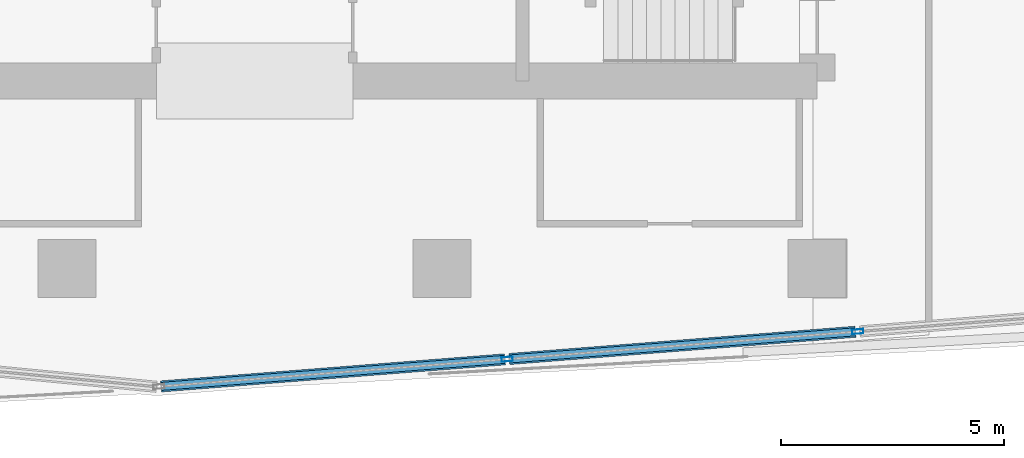
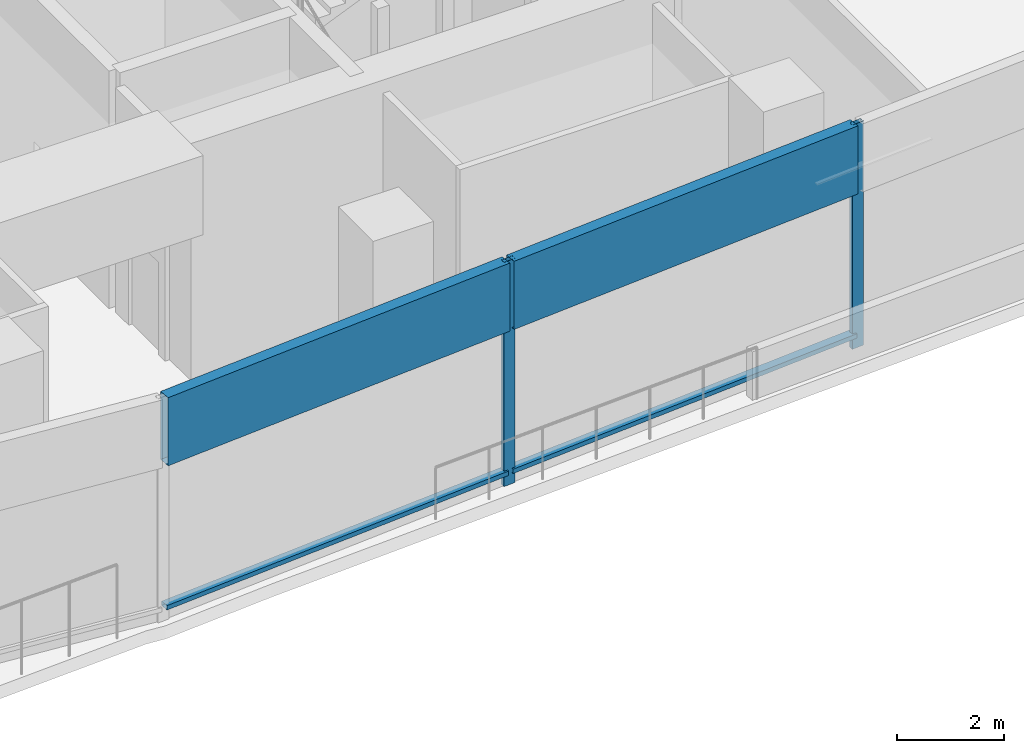
# One storey, part 5 of 22: 6 members, 1 element without a shape of its own.
"""IFC4 building model written with IfcOpenShell, lengths in metres."""

from ifc_helpers import new_model, si_unit, direction, frame, origin, origin_2d, place, context, subcontext, project, spatial, hollow_rectangle, extrude, material, material_profile, profile_set, type_object, element, aggregate, save


model = new_model("IFC4")

# Units and contexts
model_context = context("Model", 3, precision=1e-05, world=origin(), true_north=direction((0.0, 1.0)))
body_context = subcontext(model_context, "Body", "Model", "MODEL_VIEW")
ifc_project = project(units=[si_unit("LENGTHUNIT", "METRE"), si_unit("AREAUNIT", "SQUARE_METRE"), si_unit("VOLUMEUNIT", "CUBIC_METRE"), si_unit("PLANEANGLEUNIT", "RADIAN"), si_unit("MASSUNIT", "GRAM", prefix="KILO")], contexts=[model_context])

# Site, building, storey
site_placement = place(None, origin())
site = spatial("IfcSite", under=ifc_project, at=site_placement, CompositionType="ELEMENT")
building_placement = place(site_placement, origin())
building = spatial("IfcBuilding", under=site, at=building_placement, Name="Rekha Terrace Tower", CompositionType="ELEMENT")
storey_placement = place(building_placement, frame((0.0, 0.0, 291.35009765625)))
storey = spatial("IfcBuildingStorey", under=building, at=storey_placement, Name="L74", CompositionType="ELEMENT", Elevation=291.35009765625)

# Curtain wall, members
ifc_material_1 = material(Name="Aluminium framing", Category="aluminium")
curtain_wall_type = type_object("IfcCurtainWallType", Name="CW6 observation glazing", PredefinedType="USERDEFINED", material=ifc_material_1)
curtain_wall_placement = place(storey_placement, origin())
curtain_wall = element("IfcCurtainWall", 1, at=curtain_wall_placement, inside=storey, type_object=curtain_wall_type, Name="CW6 observation curtain wall", ObjectType="OBSERVATION CURTAIN WALL", PredefinedType="USERDEFINED")
ifc_material_2 = material(Name="Aluminium mullion section", Category="aluminium")
ifc_material_profile_1 = material_profile(ifc_material_2, hollow_rectangle(XDim=0.10009765625, YDim=0.25, WallThickness=0.00390625, at=origin_2d()), Name="AL RHS 100x250")
ifc_profile_set_1 = profile_set([ifc_material_profile_1], Name="Aluminium mullion section")
member_type_1 = type_object("IfcMemberType", Name="CW6 mullion RHS 100 x 250", PredefinedType="MULLION", material=ifc_profile_set_1)
member_1_placement = place(storey_placement, frame((43.45654296875, 14.7685546875, 0.0), z_axis=(0.0, 0.0, 1.0), x_axis=(-0.078448725836, 0.996918149807, 0.0)))
member_1 = element("IfcMember", 2, at=member_1_placement, type_object=member_type_1, Name="CW6 mullion 2", PredefinedType="MULLION", context=body_context, shape_type="SweptSolid", body=[
    extrude(hollow_rectangle(XDim=0.10009765625, YDim=0.25, WallThickness=0.00390625, at=origin_2d()), origin(), (0.0, 0.0, 1.0), 5.099853515625),
])
member_2_placement = place(storey_placement, frame((51.30615234375, 15.38623046875, 0.0), z_axis=(0.0, 0.0, 1.0), x_axis=(-0.078448725836, 0.996918149807, 0.0)))
member_2 = element("IfcMember", 3, at=member_2_placement, type_object=member_type_1, Name="CW6 mullion 3", PredefinedType="MULLION", context=body_context, shape_type="SweptSolid", body=[
    extrude(hollow_rectangle(XDim=0.10009765625, YDim=0.25, WallThickness=0.00390625, at=origin_2d()), origin(), (0.0, 0.0, 1.0), 5.099853515625),
])
ifc_material_3 = material(Name="Insulated aluminium spandrel box", Category="aluminium")
ifc_material_profile_2 = material_profile(ifc_material_3, hollow_rectangle(XDim=0.25, YDim=1.550048828125, WallThickness=0.0029296875, at=origin_2d()), Name="AL SPANDREL BOX 250x1550")
ifc_profile_set_2 = profile_set([ifc_material_profile_2], Name="Insulated aluminium spandrel box")
member_type_2 = type_object("IfcMemberType", Name="CW6 spandrel transom 250 x 1550", PredefinedType="USERDEFINED", material=ifc_profile_set_2)
member_3_placement = place(storey_placement, frame((35.70654296875, 14.15869140625, 4.324951171875), z_axis=(0.996917956308, 0.078451184767, 0.0), x_axis=(-0.078451184767, 0.996917956308, 0.0)))
member_3 = element("IfcMember", 4, at=member_3_placement, type_object=member_type_2, Name="CW6 spandrel transom 1", ObjectType="TRANSOM", PredefinedType="USERDEFINED", context=body_context, shape_type="SweptSolid", body=[
    extrude(hollow_rectangle(XDim=0.25, YDim=1.550048828125, WallThickness=0.0029296875, at=origin_2d()), origin(), (0.0, 0.0, 1.0), 7.72412109375),
])
member_4_placement = place(storey_placement, frame((43.50634765625, 14.7724609375, 4.324951171875), z_axis=(0.996918087758, 0.07844951434, 0.0), x_axis=(-0.07844951434, 0.996918087758, 0.0)))
member_4 = element("IfcMember", 5, at=member_4_placement, type_object=member_type_2, Name="CW6 spandrel transom 2", ObjectType="TRANSOM", PredefinedType="USERDEFINED", context=body_context, shape_type="SweptSolid", body=[
    extrude(hollow_rectangle(XDim=0.25, YDim=1.550048828125, WallThickness=0.0029296875, at=origin_2d()), origin(), (0.0, 0.0, 1.0), 7.77392578125),
])
ifc_material_4 = material(Name="Aluminium transom section", Category="aluminium")
ifc_material_profile_3 = material_profile(ifc_material_4, hollow_rectangle(XDim=0.179931640625, YDim=0.10009765625, WallThickness=0.0029296875, at=origin_2d()), Name="AL RHS 180x100")
ifc_profile_set_3 = profile_set([ifc_material_profile_3], Name="Aluminium transom section")
member_type_3 = type_object("IfcMemberType", Name="CW6 transom RHS 100 x 180", PredefinedType="USERDEFINED", material=ifc_profile_set_3)
member_5_placement = place(storey_placement, frame((35.70654296875, 14.15869140625, 0.2998046875), z_axis=(0.996917956308, 0.078451184767, 0.0), x_axis=(-0.078451184767, 0.996917956308, 0.0)))
member_5 = element("IfcMember", 6, at=member_5_placement, type_object=member_type_3, Name="CW6 transom 1.2", ObjectType="TRANSOM", PredefinedType="USERDEFINED", context=body_context, shape_type="SweptSolid", body=[
    extrude(hollow_rectangle(XDim=0.179931640625, YDim=0.10009765625, WallThickness=0.0029296875, at=origin_2d()), origin(), (0.0, 0.0, 1.0), 7.72412109375),
])
member_6_placement = place(storey_placement, frame((43.50634765625, 14.7724609375, 0.2998046875), z_axis=(0.996918087758, 0.07844951434, 0.0), x_axis=(-0.07844951434, 0.996918087758, 0.0)))
member_6 = element("IfcMember", 7, at=member_6_placement, type_object=member_type_3, Name="CW6 transom 2.2", ObjectType="TRANSOM", PredefinedType="USERDEFINED", context=body_context, shape_type="SweptSolid", body=[
    extrude(hollow_rectangle(XDim=0.179931640625, YDim=0.10009765625, WallThickness=0.0029296875, at=origin_2d()), origin(), (0.0, 0.0, 1.0), 7.77392578125),
])
aggregate(curtain_wall, [member_1, member_2, member_5, member_3, member_6, member_4])

save(model, "model.ifc")
